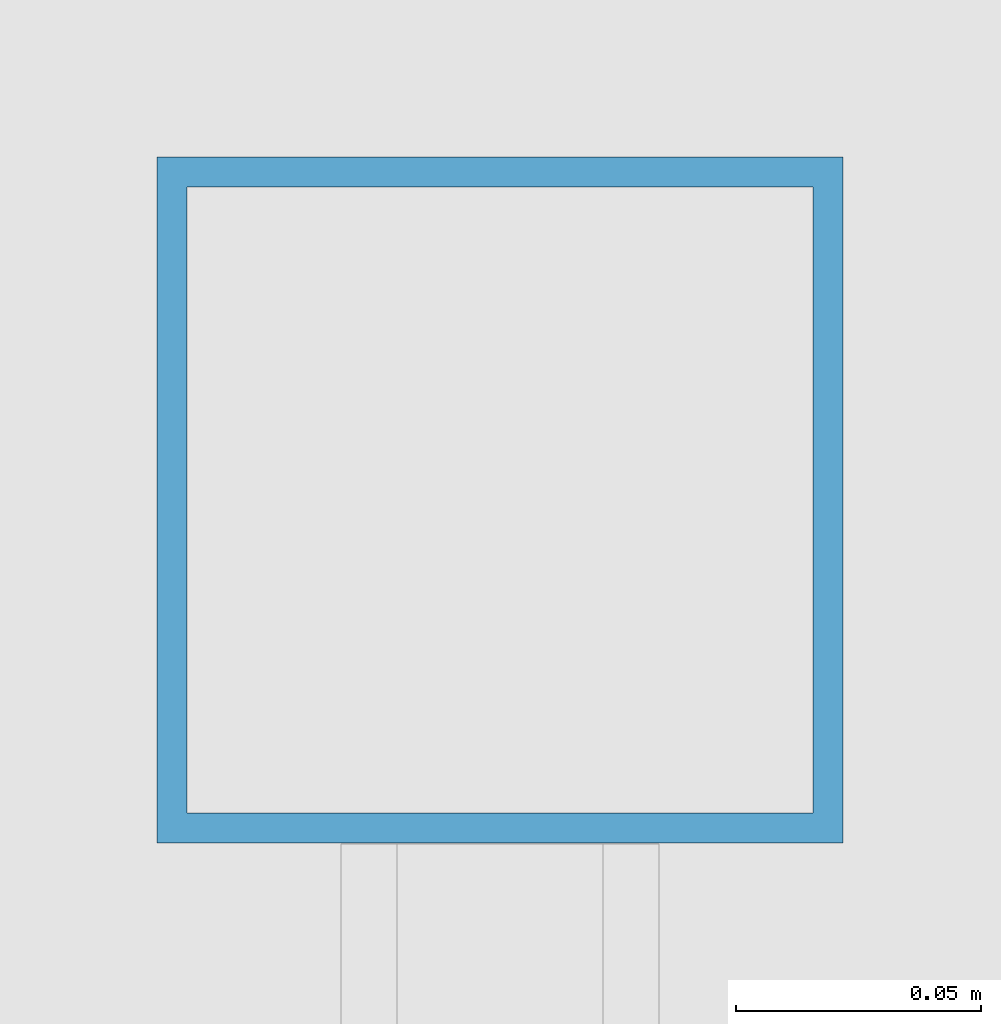
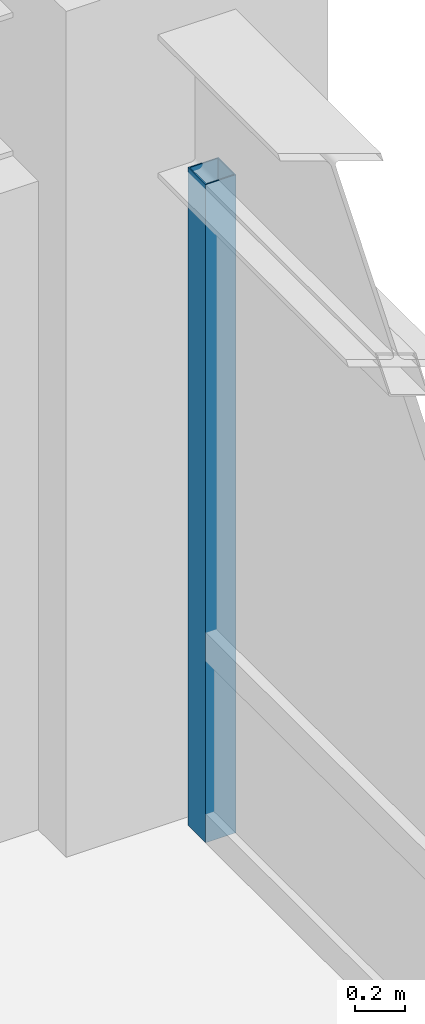
# One storey, part 16 of 28: 1 member, 1 element without a shape of its own.
"""IFC4 building model written with IfcOpenShell, lengths in metres."""

from ifc_helpers import new_model, si_unit, direction, frame, origin, origin_2d, place, context, subcontext, project, spatial, hollow_rectangle, extrude, source, transform, mapped, material, material_profile, profile_set, type_object, element, aggregate, save


model = new_model("IFC4")

# Units and contexts
model_context = context("Model", 3, precision=1e-05, world=origin(), true_north=direction((0.0, 1.0)))
body_context = subcontext(model_context, "Body", "Model", "MODEL_VIEW")
ifc_project = project(units=[si_unit("LENGTHUNIT", "METRE"), si_unit("AREAUNIT", "SQUARE_METRE"), si_unit("VOLUMEUNIT", "CUBIC_METRE"), si_unit("PLANEANGLEUNIT", "RADIAN"), si_unit("MASSUNIT", "GRAM", prefix="KILO")], contexts=[model_context])

# Site, building, storey
site_placement = place(None, origin())
site = spatial("IfcSite", under=ifc_project, at=site_placement, CompositionType="ELEMENT")
building_placement = place(site_placement, origin())
building = spatial("IfcBuilding", under=site, at=building_placement, Name="Khorayat Bourse Tower", CompositionType="ELEMENT")
storey_placement = place(building_placement, frame((0.0, 0.0, 116.0)))
storey = spatial("IfcBuildingStorey", under=building, at=storey_placement, Name="L26", CompositionType="ELEMENT", Elevation=116.0)

# Curtain wall, member
ifc_material = material(Name="Aluminium EN AW-6063 T6", Category="aluminium")
curtain_wall_type = type_object("IfcCurtainWallType", Name="CW-SYS-02", PredefinedType="NOTDEFINED", material=ifc_material)
curtain_wall_placement = place(storey_placement, origin())
curtain_wall = element("IfcCurtainWall", 1, at=curtain_wall_placement, inside=storey, type_object=curtain_wall_type, Name="L26 Curtain Wall CW-L26-E1", PredefinedType="NOTDEFINED")
ifc_material_profile = material_profile(ifc_material, hollow_rectangle(XDim=0.139892578125, YDim=0.139892578125, WallThickness=0.006103515625, at=origin_2d()), Name="ALU 140x140x6")
ifc_profile_set = profile_set([ifc_material_profile], Name="Aluminium EN AW-6063 T6")
member_type = type_object("IfcMemberType", Name="CWM-VERT-140", PredefinedType="MULLION", material=ifc_profile_set)
shared_shape = source(origin(), body_context, "Body", "SweptSolid", [
    extrude(hollow_rectangle(XDim=0.139892578125, YDim=0.139892578125, WallThickness=0.006103515625, at=origin_2d()), origin(), (0.0, 0.0, 1.0), 3.18994140625),
])
member_placement = place(storey_placement, frame((32.0, 27.280029296875, 0.0), z_axis=(0.0, 0.0, 1.0), x_axis=(-1.0, 0.0, 0.0)))
member = element("IfcMember", 2, at=member_placement, type_object=member_type, Name="CW-L26-E1 Vertical Mullion 3", PredefinedType="MULLION", context=body_context, shape_type="MappedRepresentation", body=[
    mapped(shared_shape, transform((0.0, 0.0, 0.0), scale=1.0)),
])
aggregate(curtain_wall, [member])

save(model, "model.ifc")
